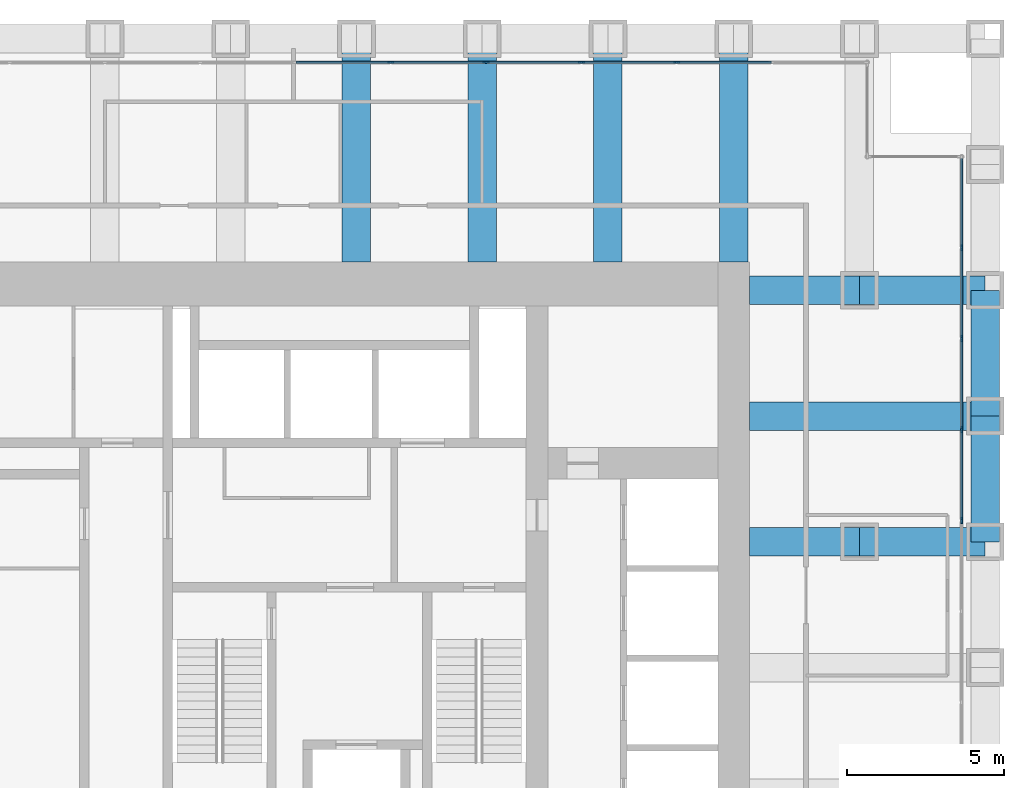
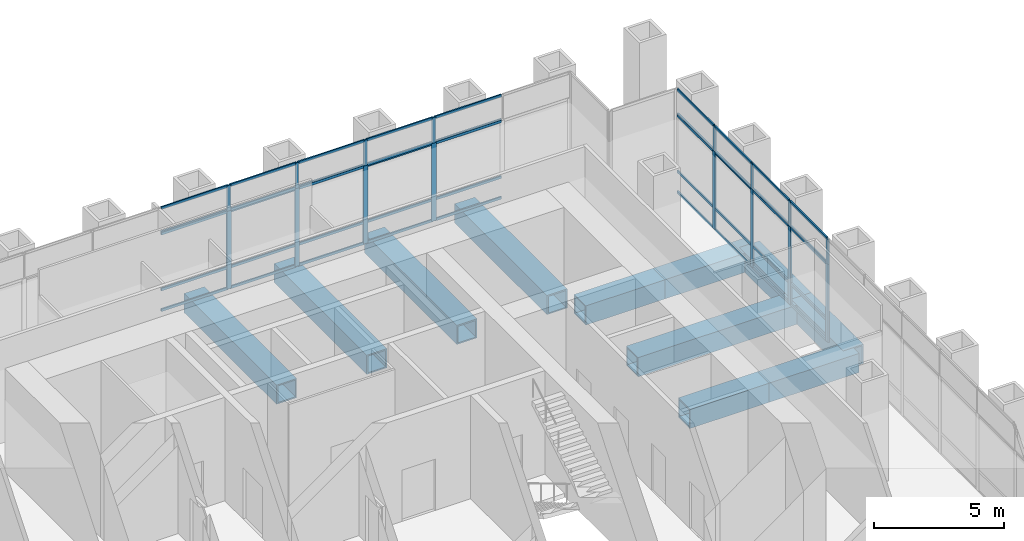
# One storey, part 10 of 18: 61 members, 11 beams, 4 elements without a shape of their own.
"""IFC4 building model written with IfcOpenShell, lengths in metres."""

from ifc_helpers import new_model, si_unit, direction, frame, origin, origin_2d, place, context, subcontext, project, spatial, rectangle, hollow_rectangle, extrude, material, material_profile, profile_set, type_object, element, aggregate, save


model = new_model("IFC4")

# Units and contexts
model_context = context("Model", 3, precision=1e-05, world=origin(), true_north=direction((0.0, 1.0)))
body_context = subcontext(model_context, "Body", "Model", "MODEL_VIEW")
ifc_project = project(units=[si_unit("LENGTHUNIT", "METRE"), si_unit("AREAUNIT", "SQUARE_METRE"), si_unit("VOLUMEUNIT", "CUBIC_METRE"), si_unit("PLANEANGLEUNIT", "RADIAN"), si_unit("MASSUNIT", "GRAM", prefix="KILO")], contexts=[model_context])

# Site, building, storey
site_placement = place(None, origin())
site = spatial("IfcSite", under=ifc_project, at=site_placement, CompositionType="ELEMENT")
building_placement = place(site_placement, origin())
building = spatial("IfcBuilding", under=site, at=building_placement, Name="Rimbunsela Tower", CompositionType="ELEMENT")
storey_placement = place(building_placement, frame((0.0, 0.0, 6.0)))
storey = spatial("IfcBuildingStorey", under=building, at=storey_placement, Name="L01", CompositionType="ELEMENT", Elevation=6.0)

# Beams
ifc_material_1 = material(Name="Steel BJ 55 (fy 410 MPa)", Category="steel")
ifc_material_profile_1 = material_profile(ifc_material_1, hollow_rectangle(XDim=0.89990234375, YDim=0.89990234375, WallThickness=0.06005859375, at=origin_2d()), Name="BOX 900x900x60")
ifc_profile_set_1 = profile_set([ifc_material_profile_1], Name="Steel BJ 55 (fy 410 MPa)")
beam_type = type_object("IfcBeamType", Name="Beam BOX 900x900x60", PredefinedType="BEAM", material=ifc_profile_set_1)
for number, where, z_axis, x_axis, name in (
    (1, (30.0, 36.89990234375, -0.60009765625), (0.0, 1.0, 0.0), (-1.0, 0.0, 0.0), "Beam B1 L01"),
    (2, (34.0, 36.89990234375, -0.60009765625), (0.0, 1.0, 0.0), (-1.0, 0.0, 0.0), "Beam B1 L01"),
    (3, (38.0, 36.89990234375, -0.60009765625), (0.0, 1.0, 0.0), (-1.0, 0.0, 0.0), "Beam B1 L01"),
    (4, (42.0, 36.89990234375, -0.60009765625), (0.0, 1.0, 0.0), (-1.0, 0.0, 0.0), "Beam B1 L01"),
):
    element("IfcBeam", number, at=place(storey_placement, frame(where, z_axis=z_axis, x_axis=x_axis)), inside=storey, type_object=beam_type, Name=name, PredefinedType="BEAM", context=body_context, shape_type="SweptSolid", body=[
        extrude(hollow_rectangle(XDim=0.89990234375, YDim=0.89990234375, WallThickness=0.06005859375, at=origin_2d()), origin(), (0.0, 0.0, 1.0), 7.10009765625),
    ])
beam_1_placement = place(storey_placement, frame((42.5, 28.0, -0.60009765625), z_axis=(1.0, 0.0, 0.0), x_axis=(0.0, 1.0, 0.0)))
element("IfcBeam", 5, at=beam_1_placement, inside=storey, type_object=beam_type, Name="Beam B1 L01", PredefinedType="BEAM", context=body_context, shape_type="SweptSolid", body=[
    extrude(hollow_rectangle(XDim=0.89990234375, YDim=0.89990234375, WallThickness=0.06005859375, at=origin_2d()), origin(), (0.0, 0.0, 1.0), 3.5),
])
beam_2_placement = place(storey_placement, frame((42.5, 32.0, -0.60009765625), z_axis=(1.0, 0.0, 0.0), x_axis=(0.0, 1.0, 0.0)))
element("IfcBeam", 6, at=beam_2_placement, inside=storey, type_object=beam_type, Name="Beam B1 L01", PredefinedType="BEAM", context=body_context, shape_type="SweptSolid", body=[
    extrude(hollow_rectangle(XDim=0.89990234375, YDim=0.89990234375, WallThickness=0.06005859375, at=origin_2d()), origin(), (0.0, 0.0, 1.0), 7.5),
])
beam_3_placement = place(storey_placement, frame((42.5, 36.0, -0.60009765625), z_axis=(1.0, 0.0, 0.0), x_axis=(0.0, 1.0, 0.0)))
element("IfcBeam", 7, at=beam_3_placement, inside=storey, type_object=beam_type, Name="Beam B1 L01", PredefinedType="BEAM", context=body_context, shape_type="SweptSolid", body=[
    extrude(hollow_rectangle(XDim=0.89990234375, YDim=0.89990234375, WallThickness=0.06005859375, at=origin_2d()), origin(), (0.0, 0.0, 1.0), 3.5),
])
for number, where, z_axis, x_axis, name in (
    (8, (46.0, 28.0, -0.60009765625), (1.0, 0.0, 0.0), (0.0, 1.0, 0.0), "Beam B1 L01"),
    (9, (46.0, 36.0, -0.60009765625), (1.0, 0.0, 0.0), (0.0, 1.0, 0.0), "Beam B1 L01"),
    (10, (50.0, 28.0, -0.60009765625), (0.0, 1.0, 0.0), (-1.0, 0.0, 0.0), "Beam B1 L01"),
    (11, (50.0, 32.0, -0.60009765625), (0.0, 1.0, 0.0), (-1.0, 0.0, 0.0), "Beam B1 L01"),
):
    element("IfcBeam", number, at=place(storey_placement, frame(where, z_axis=z_axis, x_axis=x_axis)), inside=storey, type_object=beam_type, Name=name, PredefinedType="BEAM", context=body_context, shape_type="SweptSolid", body=[
        extrude(hollow_rectangle(XDim=0.89990234375, YDim=0.89990234375, WallThickness=0.06005859375, at=origin_2d()), origin(), (0.0, 0.0, 1.0), 4.0),
    ])

# Curtain wall, members
ifc_material_2 = material(Name="Aluminium curtain wall", Category="aluminium")
curtain_wall_type_1 = type_object("IfcCurtainWallType", Name="Spandrel wall", PredefinedType="USERDEFINED", material=ifc_material_2)
curtain_wall_1_placement = place(storey_placement, origin())
curtain_wall_1 = element("IfcCurtainWall", 12, at=curtain_wall_1_placement, inside=storey, type_object=curtain_wall_type_1, Name="Spandrel wall L01", ObjectType="SPANDREL WALL", PredefinedType="USERDEFINED")
ifc_material_3 = material(Name="Aluminium mullion", Category="aluminium")
ifc_material_profile_2 = material_profile(ifc_material_3, rectangle(XDim=0.06005859375, YDim=0.159912109375, at=origin_2d()), Name="Mullion 60x160")
ifc_profile_set_2 = profile_set([ifc_material_profile_2], Name="Aluminium mullion")
member_type_1 = type_object("IfcMemberType", Name="Curtain wall mullion 60x160", PredefinedType="MULLION", material=ifc_profile_set_2)
member_1_placement = place(storey_placement, frame((49.25, 28.678466796875, 3.64990234375), z_axis=(0.0, 0.0, 1.0), x_axis=(-1.0, 0.0, 0.0)))
member_1 = element("IfcMember", 13, at=member_1_placement, type_object=member_type_1, Name="CW7 mullion 11", PredefinedType="MULLION", context=body_context, shape_type="SweptSolid", body=[
    extrude(rectangle(XDim=0.06005859375, YDim=0.159912109375, at=origin_2d()), origin(), (0.0, 0.0, 1.0), 1.2001953125),
])
member_2_placement = place(storey_placement, frame((49.25, 31.571533203125, 3.64990234375), z_axis=(0.0, 0.0, 1.0), x_axis=(-1.0, 0.0, 0.0)))
member_2 = element("IfcMember", 14, at=member_2_placement, type_object=member_type_1, Name="CW7 mullion 12", PredefinedType="MULLION", context=body_context, shape_type="SweptSolid", body=[
    extrude(rectangle(XDim=0.06005859375, YDim=0.159912109375, at=origin_2d()), origin(), (0.0, 0.0, 1.0), 1.2001953125),
])
member_3_placement = place(storey_placement, frame((49.25, 34.46435546875, 3.64990234375), z_axis=(0.0, 0.0, 1.0), x_axis=(-1.0, 0.0, 0.0)))
member_3 = element("IfcMember", 15, at=member_3_placement, type_object=member_type_1, Name="CW7 mullion 13", PredefinedType="MULLION", context=body_context, shape_type="SweptSolid", body=[
    extrude(rectangle(XDim=0.06005859375, YDim=0.159912109375, at=origin_2d()), origin(), (0.0, 0.0, 1.0), 1.2001953125),
])
member_4_placement = place(storey_placement, frame((49.25, 37.357177734375, 3.64990234375), z_axis=(0.0, 0.0, 1.0), x_axis=(-1.0, 0.0, 0.0)))
member_4 = element("IfcMember", 16, at=member_4_placement, type_object=member_type_1, Name="CW7 mullion 14", PredefinedType="MULLION", context=body_context, shape_type="SweptSolid", body=[
    extrude(rectangle(XDim=0.06005859375, YDim=0.159912109375, at=origin_2d()), origin(), (0.0, 0.0, 1.0), 1.2001953125),
])

curtain_wall_2_placement = place(storey_placement, origin())
curtain_wall_2 = element("IfcCurtainWall", 17, at=curtain_wall_2_placement, inside=storey, type_object=curtain_wall_type_1, Name="Spandrel wall L01", ObjectType="SPANDREL WALL", PredefinedType="USERDEFINED")
member_5_placement = place(storey_placement, frame((40.1875, 43.25, 3.64990234375), z_axis=(0.0, 0.0, 1.0), x_axis=(0.0, -1.0, 0.0)))
member_5 = element("IfcMember", 18, at=member_5_placement, type_object=member_type_1, Name="CW7 mullion 3", PredefinedType="MULLION", context=body_context, shape_type="SweptSolid", body=[
    extrude(rectangle(XDim=0.06005859375, YDim=0.159912109375, at=origin_2d()), origin(), (0.0, 0.0, 1.0), 1.2001953125),
])
member_6_placement = place(storey_placement, frame((37.15625, 43.25, 3.64990234375), z_axis=(0.0, 0.0, 1.0), x_axis=(0.0, -1.0, 0.0)))
member_6 = element("IfcMember", 19, at=member_6_placement, type_object=member_type_1, Name="CW7 mullion 4", PredefinedType="MULLION", context=body_context, shape_type="SweptSolid", body=[
    extrude(rectangle(XDim=0.06005859375, YDim=0.159912109375, at=origin_2d()), origin(), (0.0, 0.0, 1.0), 1.2001953125),
])
member_7_placement = place(storey_placement, frame((34.125, 43.25, 3.64990234375), z_axis=(0.0, 0.0, 1.0), x_axis=(0.0, -1.0, 0.0)))
member_7 = element("IfcMember", 20, at=member_7_placement, type_object=member_type_1, Name="CW7 mullion 5", PredefinedType="MULLION", context=body_context, shape_type="SweptSolid", body=[
    extrude(rectangle(XDim=0.06005859375, YDim=0.159912109375, at=origin_2d()), origin(), (0.0, 0.0, 1.0), 1.2001953125),
])
member_8_placement = place(storey_placement, frame((31.09375, 43.25, 3.64990234375), z_axis=(0.0, 0.0, 1.0), x_axis=(0.0, -1.0, 0.0)))
member_8 = element("IfcMember", 21, at=member_8_placement, type_object=member_type_1, Name="CW7 mullion 6", PredefinedType="MULLION", context=body_context, shape_type="SweptSolid", body=[
    extrude(rectangle(XDim=0.06005859375, YDim=0.159912109375, at=origin_2d()), origin(), (0.0, 0.0, 1.0), 1.2001953125),
])

ifc_material_4 = material(Name="Aluminium curtain wall", Category="aluminium")
curtain_wall_type_2 = type_object("IfcCurtainWallType", Name="Podium glazing", PredefinedType="USERDEFINED", material=ifc_material_4)
curtain_wall_3_placement = place(storey_placement, origin())
curtain_wall_3 = element("IfcCurtainWall", 22, at=curtain_wall_3_placement, inside=storey, type_object=curtain_wall_type_2, Name="Podium glazing L01", ObjectType="PODIUM GLAZING", PredefinedType="USERDEFINED")
ifc_material_5 = material(Name="Aluminium mullion", Category="aluminium")
ifc_material_profile_3 = material_profile(ifc_material_5, rectangle(XDim=0.06005859375, YDim=0.199951171875, at=origin_2d()), Name="Mullion 60x200")
ifc_profile_set_3 = profile_set([ifc_material_profile_3], Name="Aluminium mullion")
member_type_2 = type_object("IfcMemberType", Name="Curtain wall mullion 60x200", PredefinedType="MULLION", material=ifc_profile_set_3)
member_9_placement = place(storey_placement, frame((49.25, 28.678466796875, 0.0), z_axis=(0.0, 0.0, 1.0), x_axis=(-1.0, 0.0, 0.0)))
member_9 = element("IfcMember", 23, at=member_9_placement, type_object=member_type_2, Name="CW1 mullion 11", PredefinedType="MULLION", context=body_context, shape_type="SweptSolid", body=[
    extrude(rectangle(XDim=0.06005859375, YDim=0.199951171875, at=origin_2d()), origin(), (0.0, 0.0, 1.0), 3.64990234375),
])
member_10_placement = place(storey_placement, frame((49.25, 31.571533203125, 0.0), z_axis=(0.0, 0.0, 1.0), x_axis=(-1.0, 0.0, 0.0)))
member_10 = element("IfcMember", 24, at=member_10_placement, type_object=member_type_2, Name="CW1 mullion 12", PredefinedType="MULLION", context=body_context, shape_type="SweptSolid", body=[
    extrude(rectangle(XDim=0.06005859375, YDim=0.199951171875, at=origin_2d()), origin(), (0.0, 0.0, 1.0), 3.64990234375),
])
member_11_placement = place(storey_placement, frame((49.25, 34.46435546875, 0.0), z_axis=(0.0, 0.0, 1.0), x_axis=(-1.0, 0.0, 0.0)))
member_11 = element("IfcMember", 25, at=member_11_placement, type_object=member_type_2, Name="CW1 mullion 13", PredefinedType="MULLION", context=body_context, shape_type="SweptSolid", body=[
    extrude(rectangle(XDim=0.06005859375, YDim=0.199951171875, at=origin_2d()), origin(), (0.0, 0.0, 1.0), 3.64990234375),
])
member_12_placement = place(storey_placement, frame((49.25, 37.357177734375, 0.0), z_axis=(0.0, 0.0, 1.0), x_axis=(-1.0, 0.0, 0.0)))
member_12 = element("IfcMember", 26, at=member_12_placement, type_object=member_type_2, Name="CW1 mullion 14", PredefinedType="MULLION", context=body_context, shape_type="SweptSolid", body=[
    extrude(rectangle(XDim=0.06005859375, YDim=0.199951171875, at=origin_2d()), origin(), (0.0, 0.0, 1.0), 3.64990234375),
])

curtain_wall_4_placement = place(storey_placement, origin())
curtain_wall_4 = element("IfcCurtainWall", 27, at=curtain_wall_4_placement, inside=storey, type_object=curtain_wall_type_2, Name="Podium glazing L01", ObjectType="PODIUM GLAZING", PredefinedType="USERDEFINED")
member_13_placement = place(storey_placement, frame((40.1875, 43.25, 0.0), z_axis=(0.0, 0.0, 1.0), x_axis=(0.0, -1.0, 0.0)))
member_13 = element("IfcMember", 28, at=member_13_placement, type_object=member_type_2, Name="CW1 mullion 3", PredefinedType="MULLION", context=body_context, shape_type="SweptSolid", body=[
    extrude(rectangle(XDim=0.06005859375, YDim=0.199951171875, at=origin_2d()), origin(), (0.0, 0.0, 1.0), 3.64990234375),
])
member_14_placement = place(storey_placement, frame((37.15625, 43.25, 0.0), z_axis=(0.0, 0.0, 1.0), x_axis=(0.0, -1.0, 0.0)))
member_14 = element("IfcMember", 29, at=member_14_placement, type_object=member_type_2, Name="CW1 mullion 4", PredefinedType="MULLION", context=body_context, shape_type="SweptSolid", body=[
    extrude(rectangle(XDim=0.06005859375, YDim=0.199951171875, at=origin_2d()), origin(), (0.0, 0.0, 1.0), 3.64990234375),
])
member_15_placement = place(storey_placement, frame((34.125, 43.25, 0.0), z_axis=(0.0, 0.0, 1.0), x_axis=(0.0, -1.0, 0.0)))
member_15 = element("IfcMember", 30, at=member_15_placement, type_object=member_type_2, Name="CW1 mullion 5", PredefinedType="MULLION", context=body_context, shape_type="SweptSolid", body=[
    extrude(rectangle(XDim=0.06005859375, YDim=0.199951171875, at=origin_2d()), origin(), (0.0, 0.0, 1.0), 3.64990234375),
])
member_16_placement = place(storey_placement, frame((31.09375, 43.25, 0.0), z_axis=(0.0, 0.0, 1.0), x_axis=(0.0, -1.0, 0.0)))
member_16 = element("IfcMember", 31, at=member_16_placement, type_object=member_type_2, Name="CW1 mullion 6", PredefinedType="MULLION", context=body_context, shape_type="SweptSolid", body=[
    extrude(rectangle(XDim=0.06005859375, YDim=0.199951171875, at=origin_2d()), origin(), (0.0, 0.0, 1.0), 3.64990234375),
])

# Member
ifc_material_6 = material(Name="Aluminium transom", Category="aluminium")
ifc_material_profile_4 = material_profile(ifc_material_6, rectangle(XDim=0.06005859375, YDim=0.1201171875, at=origin_2d()), Name="Transom 60x120")
ifc_profile_set_4 = profile_set([ifc_material_profile_4], Name="Aluminium transom")
member_type_3 = type_object("IfcMemberType", Name="Curtain wall transom 60x120", PredefinedType="USERDEFINED", material=ifc_profile_set_4)
member_17_placement = place(storey_placement, frame((49.25, 28.70849609375, 0.030029296875), z_axis=(0.0, 1.0, 0.0), x_axis=(-1.0, 0.0, 0.0)))
member_17 = element("IfcMember", 32, at=member_17_placement, type_object=member_type_3, Name="CW1 transom 11.1", ObjectType="TRANSOM", PredefinedType="USERDEFINED", context=body_context, shape_type="SweptSolid", body=[
    extrude(rectangle(XDim=0.06005859375, YDim=0.1201171875, at=origin_2d()), origin(), (0.0, 0.0, 1.0), 2.8330078125),
])

member_18_placement = place(storey_placement, frame((49.25, 28.70849609375, 1.0), z_axis=(0.0, 1.0, 0.0), x_axis=(-1.0, 0.0, 0.0)))
member_18 = element("IfcMember", 33, at=member_18_placement, type_object=member_type_3, Name="CW1 transom 11.2", ObjectType="TRANSOM", PredefinedType="USERDEFINED", context=body_context, shape_type="SweptSolid", body=[
    extrude(rectangle(XDim=0.06005859375, YDim=0.1201171875, at=origin_2d()), origin(), (0.0, 0.0, 1.0), 2.8330078125),
])

member_19_placement = place(storey_placement, frame((49.25, 28.70849609375, 3.6201171875), z_axis=(0.0, 1.0, 0.0), x_axis=(-1.0, 0.0, 0.0)))
member_19 = element("IfcMember", 34, at=member_19_placement, type_object=member_type_3, Name="CW1 transom 11.3", ObjectType="TRANSOM", PredefinedType="USERDEFINED", context=body_context, shape_type="SweptSolid", body=[
    extrude(rectangle(XDim=0.06005859375, YDim=0.1201171875, at=origin_2d()), origin(), (0.0, 0.0, 1.0), 2.8330078125),
])

member_20_placement = place(storey_placement, frame((49.25, 31.601318359375, 0.030029296875), z_axis=(0.0, 1.0, 0.0), x_axis=(-1.0, 0.0, 0.0)))
member_20 = element("IfcMember", 35, at=member_20_placement, type_object=member_type_3, Name="CW1 transom 12.1", ObjectType="TRANSOM", PredefinedType="USERDEFINED", context=body_context, shape_type="SweptSolid", body=[
    extrude(rectangle(XDim=0.06005859375, YDim=0.1201171875, at=origin_2d()), origin(), (0.0, 0.0, 1.0), 2.8330078125),
])

member_21_placement = place(storey_placement, frame((49.25, 31.601318359375, 1.0), z_axis=(0.0, 1.0, 0.0), x_axis=(-1.0, 0.0, 0.0)))
member_21 = element("IfcMember", 36, at=member_21_placement, type_object=member_type_3, Name="CW1 transom 12.2", ObjectType="TRANSOM", PredefinedType="USERDEFINED", context=body_context, shape_type="SweptSolid", body=[
    extrude(rectangle(XDim=0.06005859375, YDim=0.1201171875, at=origin_2d()), origin(), (0.0, 0.0, 1.0), 2.8330078125),
])

member_22_placement = place(storey_placement, frame((49.25, 31.601318359375, 3.6201171875), z_axis=(0.0, 1.0, 0.0), x_axis=(-1.0, 0.0, 0.0)))
member_22 = element("IfcMember", 37, at=member_22_placement, type_object=member_type_3, Name="CW1 transom 12.3", ObjectType="TRANSOM", PredefinedType="USERDEFINED", context=body_context, shape_type="SweptSolid", body=[
    extrude(rectangle(XDim=0.06005859375, YDim=0.1201171875, at=origin_2d()), origin(), (0.0, 0.0, 1.0), 2.8330078125),
])

member_23_placement = place(storey_placement, frame((49.25, 34.494384765625, 0.030029296875), z_axis=(0.0, 1.0, 0.0), x_axis=(-1.0, 0.0, 0.0)))
member_23 = element("IfcMember", 38, at=member_23_placement, type_object=member_type_3, Name="CW1 transom 13.1", ObjectType="TRANSOM", PredefinedType="USERDEFINED", context=body_context, shape_type="SweptSolid", body=[
    extrude(rectangle(XDim=0.06005859375, YDim=0.1201171875, at=origin_2d()), origin(), (0.0, 0.0, 1.0), 2.832763671875),
])

member_24_placement = place(storey_placement, frame((49.25, 34.494384765625, 1.0), z_axis=(0.0, 1.0, 0.0), x_axis=(-1.0, 0.0, 0.0)))
member_24 = element("IfcMember", 39, at=member_24_placement, type_object=member_type_3, Name="CW1 transom 13.2", ObjectType="TRANSOM", PredefinedType="USERDEFINED", context=body_context, shape_type="SweptSolid", body=[
    extrude(rectangle(XDim=0.06005859375, YDim=0.1201171875, at=origin_2d()), origin(), (0.0, 0.0, 1.0), 2.832763671875),
])

member_25_placement = place(storey_placement, frame((49.25, 34.494384765625, 3.6201171875), z_axis=(0.0, 1.0, 0.0), x_axis=(-1.0, 0.0, 0.0)))
member_25 = element("IfcMember", 40, at=member_25_placement, type_object=member_type_3, Name="CW1 transom 13.3", ObjectType="TRANSOM", PredefinedType="USERDEFINED", context=body_context, shape_type="SweptSolid", body=[
    extrude(rectangle(XDim=0.06005859375, YDim=0.1201171875, at=origin_2d()), origin(), (0.0, 0.0, 1.0), 2.832763671875),
])

member_26_placement = place(storey_placement, frame((49.25, 37.38720703125, 0.030029296875), z_axis=(0.0, 1.0, 0.0), x_axis=(-1.0, 0.0, 0.0)))
member_26 = element("IfcMember", 41, at=member_26_placement, type_object=member_type_3, Name="CW1 transom 14.1", ObjectType="TRANSOM", PredefinedType="USERDEFINED", context=body_context, shape_type="SweptSolid", body=[
    extrude(rectangle(XDim=0.06005859375, YDim=0.1201171875, at=origin_2d()), origin(), (0.0, 0.0, 1.0), 2.802734375),
])

member_27_placement = place(storey_placement, frame((49.25, 37.38720703125, 1.0), z_axis=(0.0, 1.0, 0.0), x_axis=(-1.0, 0.0, 0.0)))
member_27 = element("IfcMember", 42, at=member_27_placement, type_object=member_type_3, Name="CW1 transom 14.2", ObjectType="TRANSOM", PredefinedType="USERDEFINED", context=body_context, shape_type="SweptSolid", body=[
    extrude(rectangle(XDim=0.06005859375, YDim=0.1201171875, at=origin_2d()), origin(), (0.0, 0.0, 1.0), 2.802734375),
])

member_28_placement = place(storey_placement, frame((49.25, 37.38720703125, 3.6201171875), z_axis=(0.0, 1.0, 0.0), x_axis=(-1.0, 0.0, 0.0)))
member_28 = element("IfcMember", 43, at=member_28_placement, type_object=member_type_3, Name="CW1 transom 14.3", ObjectType="TRANSOM", PredefinedType="USERDEFINED", context=body_context, shape_type="SweptSolid", body=[
    extrude(rectangle(XDim=0.06005859375, YDim=0.1201171875, at=origin_2d()), origin(), (0.0, 0.0, 1.0), 2.802734375),
])

aggregate(curtain_wall_3, [member_9, member_10, member_11, member_12, member_17, member_18, member_19, member_20, member_21, member_22, member_23, member_24, member_25, member_26, member_27, member_28])

member_29_placement = place(storey_placement, frame((49.25, 28.70849609375, 3.679931640625), z_axis=(0.0, 1.0, 0.0), x_axis=(-1.0, 0.0, 0.0)))
member_29 = element("IfcMember", 44, at=member_29_placement, type_object=member_type_3, Name="CW7 transom 11.1", ObjectType="TRANSOM", PredefinedType="USERDEFINED", context=body_context, shape_type="SweptSolid", body=[
    extrude(rectangle(XDim=0.06005859375, YDim=0.1201171875, at=origin_2d()), origin(), (0.0, 0.0, 1.0), 2.8330078125),
])

member_30_placement = place(storey_placement, frame((49.25, 28.70849609375, 4.820068359375), z_axis=(0.0, 1.0, 0.0), x_axis=(-1.0, 0.0, 0.0)))
member_30 = element("IfcMember", 45, at=member_30_placement, type_object=member_type_3, Name="CW7 transom 11.2", ObjectType="TRANSOM", PredefinedType="USERDEFINED", context=body_context, shape_type="SweptSolid", body=[
    extrude(rectangle(XDim=0.06005859375, YDim=0.1201171875, at=origin_2d()), origin(), (0.0, 0.0, 1.0), 2.8330078125),
])

member_31_placement = place(storey_placement, frame((49.25, 31.601318359375, 3.679931640625), z_axis=(0.0, 1.0, 0.0), x_axis=(-1.0, 0.0, 0.0)))
member_31 = element("IfcMember", 46, at=member_31_placement, type_object=member_type_3, Name="CW7 transom 12.1", ObjectType="TRANSOM", PredefinedType="USERDEFINED", context=body_context, shape_type="SweptSolid", body=[
    extrude(rectangle(XDim=0.06005859375, YDim=0.1201171875, at=origin_2d()), origin(), (0.0, 0.0, 1.0), 2.8330078125),
])

member_32_placement = place(storey_placement, frame((49.25, 31.601318359375, 4.820068359375), z_axis=(0.0, 1.0, 0.0), x_axis=(-1.0, 0.0, 0.0)))
member_32 = element("IfcMember", 47, at=member_32_placement, type_object=member_type_3, Name="CW7 transom 12.2", ObjectType="TRANSOM", PredefinedType="USERDEFINED", context=body_context, shape_type="SweptSolid", body=[
    extrude(rectangle(XDim=0.06005859375, YDim=0.1201171875, at=origin_2d()), origin(), (0.0, 0.0, 1.0), 2.8330078125),
])

member_33_placement = place(storey_placement, frame((49.25, 34.494384765625, 3.679931640625), z_axis=(0.0, 1.0, 0.0), x_axis=(-1.0, 0.0, 0.0)))
member_33 = element("IfcMember", 48, at=member_33_placement, type_object=member_type_3, Name="CW7 transom 13.1", ObjectType="TRANSOM", PredefinedType="USERDEFINED", context=body_context, shape_type="SweptSolid", body=[
    extrude(rectangle(XDim=0.06005859375, YDim=0.1201171875, at=origin_2d()), origin(), (0.0, 0.0, 1.0), 2.832763671875),
])

member_34_placement = place(storey_placement, frame((49.25, 34.494384765625, 4.820068359375), z_axis=(0.0, 1.0, 0.0), x_axis=(-1.0, 0.0, 0.0)))
member_34 = element("IfcMember", 49, at=member_34_placement, type_object=member_type_3, Name="CW7 transom 13.2", ObjectType="TRANSOM", PredefinedType="USERDEFINED", context=body_context, shape_type="SweptSolid", body=[
    extrude(rectangle(XDim=0.06005859375, YDim=0.1201171875, at=origin_2d()), origin(), (0.0, 0.0, 1.0), 2.832763671875),
])

member_35_placement = place(storey_placement, frame((49.25, 37.38720703125, 3.679931640625), z_axis=(0.0, 1.0, 0.0), x_axis=(-1.0, 0.0, 0.0)))
member_35 = element("IfcMember", 50, at=member_35_placement, type_object=member_type_3, Name="CW7 transom 14.1", ObjectType="TRANSOM", PredefinedType="USERDEFINED", context=body_context, shape_type="SweptSolid", body=[
    extrude(rectangle(XDim=0.06005859375, YDim=0.1201171875, at=origin_2d()), origin(), (0.0, 0.0, 1.0), 2.802734375),
])

member_36_placement = place(storey_placement, frame((49.25, 37.38720703125, 4.820068359375), z_axis=(0.0, 1.0, 0.0), x_axis=(-1.0, 0.0, 0.0)))
member_36 = element("IfcMember", 51, at=member_36_placement, type_object=member_type_3, Name="CW7 transom 14.2", ObjectType="TRANSOM", PredefinedType="USERDEFINED", context=body_context, shape_type="SweptSolid", body=[
    extrude(rectangle(XDim=0.06005859375, YDim=0.1201171875, at=origin_2d()), origin(), (0.0, 0.0, 1.0), 2.802734375),
])

aggregate(curtain_wall_1, [member_1, member_2, member_3, member_4, member_29, member_30, member_31, member_32, member_33, member_34, member_35, member_36])

member_37_placement = place(storey_placement, frame((43.188720703125, 43.25, 0.030029296875), z_axis=(-1.0, 0.0, 0.0), x_axis=(0.0, -1.0, 0.0)))
member_37 = element("IfcMember", 52, at=member_37_placement, type_object=member_type_3, Name="CW1 transom 2.1", ObjectType="TRANSOM", PredefinedType="USERDEFINED", context=body_context, shape_type="SweptSolid", body=[
    extrude(rectangle(XDim=0.06005859375, YDim=0.1201171875, at=origin_2d()), origin(), (0.0, 0.0, 1.0), 2.97119140625),
])

member_38_placement = place(storey_placement, frame((43.188720703125, 43.25, 1.0), z_axis=(-1.0, 0.0, 0.0), x_axis=(0.0, -1.0, 0.0)))
member_38 = element("IfcMember", 53, at=member_38_placement, type_object=member_type_3, Name="CW1 transom 2.2", ObjectType="TRANSOM", PredefinedType="USERDEFINED", context=body_context, shape_type="SweptSolid", body=[
    extrude(rectangle(XDim=0.06005859375, YDim=0.1201171875, at=origin_2d()), origin(), (0.0, 0.0, 1.0), 2.97119140625),
])

member_39_placement = place(storey_placement, frame((43.188720703125, 43.25, 3.6201171875), z_axis=(-1.0, 0.0, 0.0), x_axis=(0.0, -1.0, 0.0)))
member_39 = element("IfcMember", 54, at=member_39_placement, type_object=member_type_3, Name="CW1 transom 2.3", ObjectType="TRANSOM", PredefinedType="USERDEFINED", context=body_context, shape_type="SweptSolid", body=[
    extrude(rectangle(XDim=0.06005859375, YDim=0.1201171875, at=origin_2d()), origin(), (0.0, 0.0, 1.0), 2.97119140625),
])

member_40_placement = place(storey_placement, frame((40.157470703125, 43.25, 0.030029296875), z_axis=(-1.0, 0.0, 0.0), x_axis=(0.0, -1.0, 0.0)))
member_40 = element("IfcMember", 55, at=member_40_placement, type_object=member_type_3, Name="CW1 transom 3.1", ObjectType="TRANSOM", PredefinedType="USERDEFINED", context=body_context, shape_type="SweptSolid", body=[
    extrude(rectangle(XDim=0.06005859375, YDim=0.1201171875, at=origin_2d()), origin(), (0.0, 0.0, 1.0), 2.97119140625),
])

member_41_placement = place(storey_placement, frame((40.157470703125, 43.25, 1.0), z_axis=(-1.0, 0.0, 0.0), x_axis=(0.0, -1.0, 0.0)))
member_41 = element("IfcMember", 56, at=member_41_placement, type_object=member_type_3, Name="CW1 transom 3.2", ObjectType="TRANSOM", PredefinedType="USERDEFINED", context=body_context, shape_type="SweptSolid", body=[
    extrude(rectangle(XDim=0.06005859375, YDim=0.1201171875, at=origin_2d()), origin(), (0.0, 0.0, 1.0), 2.97119140625),
])

member_42_placement = place(storey_placement, frame((40.157470703125, 43.25, 3.6201171875), z_axis=(-1.0, 0.0, 0.0), x_axis=(0.0, -1.0, 0.0)))
member_42 = element("IfcMember", 57, at=member_42_placement, type_object=member_type_3, Name="CW1 transom 3.3", ObjectType="TRANSOM", PredefinedType="USERDEFINED", context=body_context, shape_type="SweptSolid", body=[
    extrude(rectangle(XDim=0.06005859375, YDim=0.1201171875, at=origin_2d()), origin(), (0.0, 0.0, 1.0), 2.97119140625),
])

member_43_placement = place(storey_placement, frame((37.126220703125, 43.25, 0.030029296875), z_axis=(-1.0, 0.0, 0.0), x_axis=(0.0, -1.0, 0.0)))
member_43 = element("IfcMember", 58, at=member_43_placement, type_object=member_type_3, Name="CW1 transom 4.1", ObjectType="TRANSOM", PredefinedType="USERDEFINED", context=body_context, shape_type="SweptSolid", body=[
    extrude(rectangle(XDim=0.06005859375, YDim=0.1201171875, at=origin_2d()), origin(), (0.0, 0.0, 1.0), 2.97119140625),
])

member_44_placement = place(storey_placement, frame((37.126220703125, 43.25, 1.0), z_axis=(-1.0, 0.0, 0.0), x_axis=(0.0, -1.0, 0.0)))
member_44 = element("IfcMember", 59, at=member_44_placement, type_object=member_type_3, Name="CW1 transom 4.2", ObjectType="TRANSOM", PredefinedType="USERDEFINED", context=body_context, shape_type="SweptSolid", body=[
    extrude(rectangle(XDim=0.06005859375, YDim=0.1201171875, at=origin_2d()), origin(), (0.0, 0.0, 1.0), 2.97119140625),
])

member_45_placement = place(storey_placement, frame((37.126220703125, 43.25, 3.6201171875), z_axis=(-1.0, 0.0, 0.0), x_axis=(0.0, -1.0, 0.0)))
member_45 = element("IfcMember", 60, at=member_45_placement, type_object=member_type_3, Name="CW1 transom 4.3", ObjectType="TRANSOM", PredefinedType="USERDEFINED", context=body_context, shape_type="SweptSolid", body=[
    extrude(rectangle(XDim=0.06005859375, YDim=0.1201171875, at=origin_2d()), origin(), (0.0, 0.0, 1.0), 2.97119140625),
])

member_46_placement = place(storey_placement, frame((34.094970703125, 43.25, 0.030029296875), z_axis=(-1.0, 0.0, 0.0), x_axis=(0.0, -1.0, 0.0)))
member_46 = element("IfcMember", 61, at=member_46_placement, type_object=member_type_3, Name="CW1 transom 5.1", ObjectType="TRANSOM", PredefinedType="USERDEFINED", context=body_context, shape_type="SweptSolid", body=[
    extrude(rectangle(XDim=0.06005859375, YDim=0.1201171875, at=origin_2d()), origin(), (0.0, 0.0, 1.0), 2.97119140625),
])

member_47_placement = place(storey_placement, frame((34.094970703125, 43.25, 1.0), z_axis=(-1.0, 0.0, 0.0), x_axis=(0.0, -1.0, 0.0)))
member_47 = element("IfcMember", 62, at=member_47_placement, type_object=member_type_3, Name="CW1 transom 5.2", ObjectType="TRANSOM", PredefinedType="USERDEFINED", context=body_context, shape_type="SweptSolid", body=[
    extrude(rectangle(XDim=0.06005859375, YDim=0.1201171875, at=origin_2d()), origin(), (0.0, 0.0, 1.0), 2.97119140625),
])

member_48_placement = place(storey_placement, frame((34.094970703125, 43.25, 3.6201171875), z_axis=(-1.0, 0.0, 0.0), x_axis=(0.0, -1.0, 0.0)))
member_48 = element("IfcMember", 63, at=member_48_placement, type_object=member_type_3, Name="CW1 transom 5.3", ObjectType="TRANSOM", PredefinedType="USERDEFINED", context=body_context, shape_type="SweptSolid", body=[
    extrude(rectangle(XDim=0.06005859375, YDim=0.1201171875, at=origin_2d()), origin(), (0.0, 0.0, 1.0), 2.97119140625),
])

member_49_placement = place(storey_placement, frame((31.063720703125, 43.25, 0.030029296875), z_axis=(-1.0, 0.0, 0.0), x_axis=(0.0, -1.0, 0.0)))
member_49 = element("IfcMember", 64, at=member_49_placement, type_object=member_type_3, Name="CW1 transom 6.1", ObjectType="TRANSOM", PredefinedType="USERDEFINED", context=body_context, shape_type="SweptSolid", body=[
    extrude(rectangle(XDim=0.06005859375, YDim=0.1201171875, at=origin_2d()), origin(), (0.0, 0.0, 1.0), 2.97119140625),
])

member_50_placement = place(storey_placement, frame((31.063720703125, 43.25, 1.0), z_axis=(-1.0, 0.0, 0.0), x_axis=(0.0, -1.0, 0.0)))
member_50 = element("IfcMember", 65, at=member_50_placement, type_object=member_type_3, Name="CW1 transom 6.2", ObjectType="TRANSOM", PredefinedType="USERDEFINED", context=body_context, shape_type="SweptSolid", body=[
    extrude(rectangle(XDim=0.06005859375, YDim=0.1201171875, at=origin_2d()), origin(), (0.0, 0.0, 1.0), 2.97119140625),
])

member_51_placement = place(storey_placement, frame((31.063720703125, 43.25, 3.6201171875), z_axis=(-1.0, 0.0, 0.0), x_axis=(0.0, -1.0, 0.0)))
member_51 = element("IfcMember", 66, at=member_51_placement, type_object=member_type_3, Name="CW1 transom 6.3", ObjectType="TRANSOM", PredefinedType="USERDEFINED", context=body_context, shape_type="SweptSolid", body=[
    extrude(rectangle(XDim=0.06005859375, YDim=0.1201171875, at=origin_2d()), origin(), (0.0, 0.0, 1.0), 2.97119140625),
])

aggregate(curtain_wall_4, [member_13, member_14, member_15, member_16, member_37, member_38, member_39, member_40, member_41, member_42, member_43, member_44, member_45, member_46, member_47, member_48, member_49, member_50, member_51])

member_52_placement = place(storey_placement, frame((43.188720703125, 43.25, 3.679931640625), z_axis=(-1.0, 0.0, 0.0), x_axis=(0.0, -1.0, 0.0)))
member_52 = element("IfcMember", 67, at=member_52_placement, type_object=member_type_3, Name="CW7 transom 2.1", ObjectType="TRANSOM", PredefinedType="USERDEFINED", context=body_context, shape_type="SweptSolid", body=[
    extrude(rectangle(XDim=0.06005859375, YDim=0.1201171875, at=origin_2d()), origin(), (0.0, 0.0, 1.0), 2.97119140625),
])

member_53_placement = place(storey_placement, frame((43.188720703125, 43.25, 4.820068359375), z_axis=(-1.0, 0.0, 0.0), x_axis=(0.0, -1.0, 0.0)))
member_53 = element("IfcMember", 68, at=member_53_placement, type_object=member_type_3, Name="CW7 transom 2.2", ObjectType="TRANSOM", PredefinedType="USERDEFINED", context=body_context, shape_type="SweptSolid", body=[
    extrude(rectangle(XDim=0.06005859375, YDim=0.1201171875, at=origin_2d()), origin(), (0.0, 0.0, 1.0), 2.97119140625),
])

member_54_placement = place(storey_placement, frame((40.157470703125, 43.25, 3.679931640625), z_axis=(-1.0, 0.0, 0.0), x_axis=(0.0, -1.0, 0.0)))
member_54 = element("IfcMember", 69, at=member_54_placement, type_object=member_type_3, Name="CW7 transom 3.1", ObjectType="TRANSOM", PredefinedType="USERDEFINED", context=body_context, shape_type="SweptSolid", body=[
    extrude(rectangle(XDim=0.06005859375, YDim=0.1201171875, at=origin_2d()), origin(), (0.0, 0.0, 1.0), 2.97119140625),
])

member_55_placement = place(storey_placement, frame((40.157470703125, 43.25, 4.820068359375), z_axis=(-1.0, 0.0, 0.0), x_axis=(0.0, -1.0, 0.0)))
member_55 = element("IfcMember", 70, at=member_55_placement, type_object=member_type_3, Name="CW7 transom 3.2", ObjectType="TRANSOM", PredefinedType="USERDEFINED", context=body_context, shape_type="SweptSolid", body=[
    extrude(rectangle(XDim=0.06005859375, YDim=0.1201171875, at=origin_2d()), origin(), (0.0, 0.0, 1.0), 2.97119140625),
])

member_56_placement = place(storey_placement, frame((37.126220703125, 43.25, 3.679931640625), z_axis=(-1.0, 0.0, 0.0), x_axis=(0.0, -1.0, 0.0)))
member_56 = element("IfcMember", 71, at=member_56_placement, type_object=member_type_3, Name="CW7 transom 4.1", ObjectType="TRANSOM", PredefinedType="USERDEFINED", context=body_context, shape_type="SweptSolid", body=[
    extrude(rectangle(XDim=0.06005859375, YDim=0.1201171875, at=origin_2d()), origin(), (0.0, 0.0, 1.0), 2.97119140625),
])

member_57_placement = place(storey_placement, frame((37.126220703125, 43.25, 4.820068359375), z_axis=(-1.0, 0.0, 0.0), x_axis=(0.0, -1.0, 0.0)))
member_57 = element("IfcMember", 72, at=member_57_placement, type_object=member_type_3, Name="CW7 transom 4.2", ObjectType="TRANSOM", PredefinedType="USERDEFINED", context=body_context, shape_type="SweptSolid", body=[
    extrude(rectangle(XDim=0.06005859375, YDim=0.1201171875, at=origin_2d()), origin(), (0.0, 0.0, 1.0), 2.97119140625),
])

member_58_placement = place(storey_placement, frame((34.094970703125, 43.25, 3.679931640625), z_axis=(-1.0, 0.0, 0.0), x_axis=(0.0, -1.0, 0.0)))
member_58 = element("IfcMember", 73, at=member_58_placement, type_object=member_type_3, Name="CW7 transom 5.1", ObjectType="TRANSOM", PredefinedType="USERDEFINED", context=body_context, shape_type="SweptSolid", body=[
    extrude(rectangle(XDim=0.06005859375, YDim=0.1201171875, at=origin_2d()), origin(), (0.0, 0.0, 1.0), 2.97119140625),
])

member_59_placement = place(storey_placement, frame((34.094970703125, 43.25, 4.820068359375), z_axis=(-1.0, 0.0, 0.0), x_axis=(0.0, -1.0, 0.0)))
member_59 = element("IfcMember", 74, at=member_59_placement, type_object=member_type_3, Name="CW7 transom 5.2", ObjectType="TRANSOM", PredefinedType="USERDEFINED", context=body_context, shape_type="SweptSolid", body=[
    extrude(rectangle(XDim=0.06005859375, YDim=0.1201171875, at=origin_2d()), origin(), (0.0, 0.0, 1.0), 2.97119140625),
])

member_60_placement = place(storey_placement, frame((31.063720703125, 43.25, 3.679931640625), z_axis=(-1.0, 0.0, 0.0), x_axis=(0.0, -1.0, 0.0)))
member_60 = element("IfcMember", 75, at=member_60_placement, type_object=member_type_3, Name="CW7 transom 6.1", ObjectType="TRANSOM", PredefinedType="USERDEFINED", context=body_context, shape_type="SweptSolid", body=[
    extrude(rectangle(XDim=0.06005859375, YDim=0.1201171875, at=origin_2d()), origin(), (0.0, 0.0, 1.0), 2.97119140625),
])

member_61_placement = place(storey_placement, frame((31.063720703125, 43.25, 4.820068359375), z_axis=(-1.0, 0.0, 0.0), x_axis=(0.0, -1.0, 0.0)))
member_61 = element("IfcMember", 76, at=member_61_placement, type_object=member_type_3, Name="CW7 transom 6.2", ObjectType="TRANSOM", PredefinedType="USERDEFINED", context=body_context, shape_type="SweptSolid", body=[
    extrude(rectangle(XDim=0.06005859375, YDim=0.1201171875, at=origin_2d()), origin(), (0.0, 0.0, 1.0), 2.97119140625),
])

aggregate(curtain_wall_2, [member_5, member_6, member_7, member_8, member_52, member_53, member_54, member_55, member_56, member_57, member_58, member_59, member_60, member_61])

save(model, "model.ifc")
